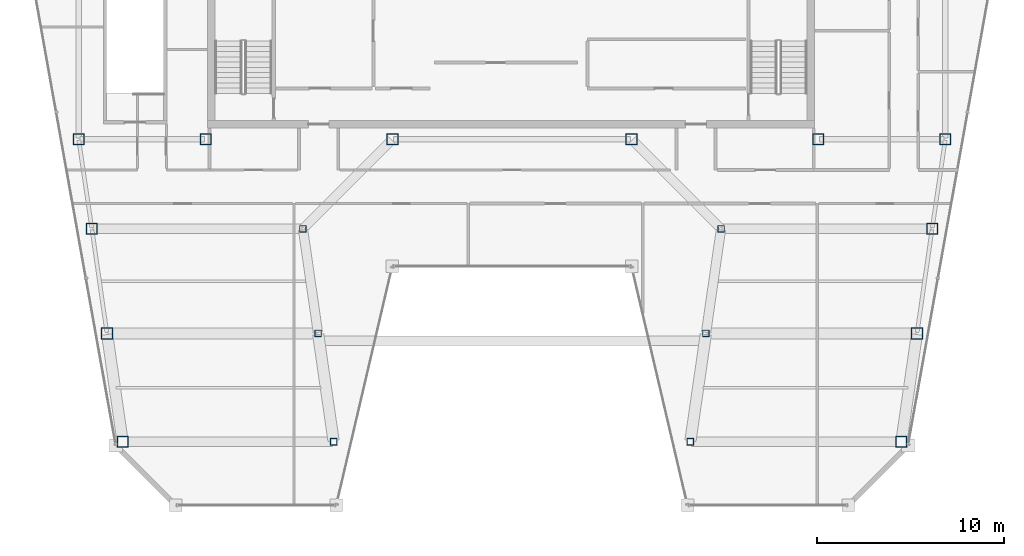
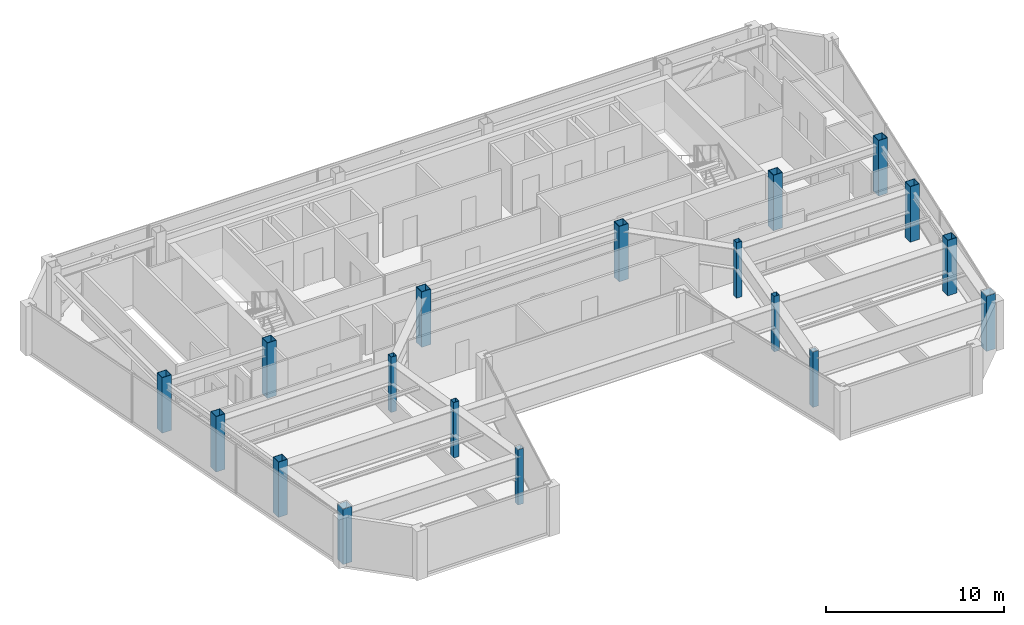
# One storey, part 1 of 30: 18 columns.
"""IFC4 building model written with IfcOpenShell, lengths in metres."""

from ifc_helpers import new_model, si_unit, direction, frame, origin, origin_2d, place, context, subcontext, project, spatial, hollow_rectangle, extrude, material, material_profile, profile_set, type_object, element, save


model = new_model("IFC4")

# Units and contexts
model_context = context("Model", 3, precision=1e-05, world=origin(), true_north=direction((0.0, 1.0)))
body_context = subcontext(model_context, "Body", "Model", "MODEL_VIEW")
ifc_project = project(units=[si_unit("LENGTHUNIT", "METRE"), si_unit("AREAUNIT", "SQUARE_METRE"), si_unit("VOLUMEUNIT", "CUBIC_METRE"), si_unit("PLANEANGLEUNIT", "RADIAN"), si_unit("MASSUNIT", "GRAM", prefix="KILO")], contexts=[model_context])

# Site, building, storey
site_placement = place(None, origin())
site = spatial("IfcSite", under=ifc_project, at=site_placement, CompositionType="ELEMENT")
building_placement = place(site_placement, origin())
building = spatial("IfcBuilding", under=site, at=building_placement, Name="Saevonmaru Cultural Tower", CompositionType="ELEMENT")
storey_placement = place(building_placement, frame((0.0, 0.0, 272.39990234375)))
storey = spatial("IfcBuildingStorey", under=building, at=storey_placement, Name="L64", CompositionType="ELEMENT", Elevation=272.39990234375)

# Columns
ifc_material = material(Name="Steel SM355", Category="steel")
ifc_material_profile_1 = material_profile(ifc_material, hollow_rectangle(XDim=0.60009765625, YDim=0.60009765625, WallThickness=0.028076171875, at=origin_2d()), Name="BOX-600x600x28")
ifc_profile_set_1 = profile_set([ifc_material_profile_1], Name="Steel SM355")
column_type_1 = type_object("IfcColumnType", Name="COL-BOX-600", PredefinedType="COLUMN", material=ifc_profile_set_1)
for number, where, z_axis, x_axis, name in (
    (1, (6.800048828125, 42.39990234375, 0.0), (0.0, 0.0, 1.0), (1.0, 0.0, 0.0), "L64 Column TC-S1C"),
    (2, (13.60009765625, 42.39990234375, 0.0), (0.0, 0.0, 1.0), (1.0, 0.0, 0.0), "L64 Column TC-S2C"),
    (3, (23.60009765625, 42.39990234375, 0.0), (0.0, 0.0, 1.0), (1.0, 0.0, 0.0), "L64 Column TC-S3C"),
    (4, (36.39990234375, 42.39990234375, 0.0), (0.0, 0.0, 1.0), (1.0, 0.0, 0.0), "L64 Column TC-S4C"),
    (5, (46.39990234375, 42.39990234375, 0.0), (0.0, 0.0, 1.0), (1.0, 0.0, 0.0), "L64 Column TC-S5C"),
    (6, (53.199951171875, 42.39990234375, 0.0), (0.0, 0.0, 1.0), (1.0, 0.0, 0.0), "L64 Column TC-S6C"),
    (7, (9.154052734375, 26.199951171875, 0.0), (0.0, 0.0, 1.0), (1.0, 0.0, 0.0), "L64 Column TC-WO-Y262"),
    (8, (50.845947265625, 26.199951171875, 0.0), (0.0, 0.0, 1.0), (1.0, 0.0, 0.0), "L64 Column TC-EO-Y262"),
    (9, (8.31689453125, 32.0, 0.0), (0.0, 0.0, 1.0), (1.0, 0.0, 0.0), "L64 Column TC-WO-Y320"),
    (10, (51.68310546875, 32.0, 0.0), (0.0, 0.0, 1.0), (1.0, 0.0, 0.0), "L64 Column TC-EO-Y320"),
    (11, (7.508056640625, 37.60009765625, 0.0), (0.0, 0.0, 1.0), (1.0, 0.0, 0.0), "L64 Column TC-WO-Y376"),
    (12, (52.491943359375, 37.60009765625, 0.0), (0.0, 0.0, 1.0), (1.0, 0.0, 0.0), "L64 Column TC-EO-Y376"),
):
    element("IfcColumn", number, at=place(storey_placement, frame(where, z_axis=z_axis, x_axis=x_axis)), inside=storey, type_object=column_type_1, Name=name, PredefinedType="COLUMN", context=body_context, shape_type="SweptSolid", body=[
        extrude(hollow_rectangle(XDim=0.60009765625, YDim=0.60009765625, WallThickness=0.028076171875, at=origin_2d()), origin(), (0.0, 0.0, 1.0), 3.800048828125),
    ])
ifc_material_profile_2 = material_profile(ifc_material, hollow_rectangle(XDim=0.35009765625, YDim=0.35009765625, WallThickness=0.01611328125, at=origin_2d()), Name="SHS-350x350x16")
ifc_profile_set_2 = profile_set([ifc_material_profile_2], Name="Steel SM355")
column_type_2 = type_object("IfcColumnType", Name="COL-SHS-350", PredefinedType="COLUMN", material=ifc_profile_set_2)
for number, where, z_axis, x_axis, name in (
    (13, (20.4541015625, 26.199951171875, 0.0), (0.0, 0.0, 1.0), (1.0, 0.0, 0.0), "L64 Column TC-WI-Y262"),
    (14, (39.5458984375, 26.199951171875, 0.0), (0.0, 0.0, 1.0), (1.0, 0.0, 0.0), "L64 Column TC-EI-Y262"),
    (15, (19.616943359375, 32.0, 0.0), (0.0, 0.0, 1.0), (1.0, 0.0, 0.0), "L64 Column TC-WI-Y320"),
    (16, (40.383056640625, 32.0, 0.0), (0.0, 0.0, 1.0), (1.0, 0.0, 0.0), "L64 Column TC-EI-Y320"),
    (17, (18.80810546875, 37.60009765625, 0.0), (0.0, 0.0, 1.0), (1.0, 0.0, 0.0), "L64 Column TC-WI-Y376"),
    (18, (41.19189453125, 37.60009765625, 0.0), (0.0, 0.0, 1.0), (1.0, 0.0, 0.0), "L64 Column TC-EI-Y376"),
):
    element("IfcColumn", number, at=place(storey_placement, frame(where, z_axis=z_axis, x_axis=x_axis)), inside=storey, type_object=column_type_2, Name=name, PredefinedType="COLUMN", context=body_context, shape_type="SweptSolid", body=[
        extrude(hollow_rectangle(XDim=0.35009765625, YDim=0.35009765625, WallThickness=0.01611328125, at=origin_2d()), origin(), (0.0, 0.0, 1.0), 3.800048828125),
    ])

save(model, "model.ifc")
